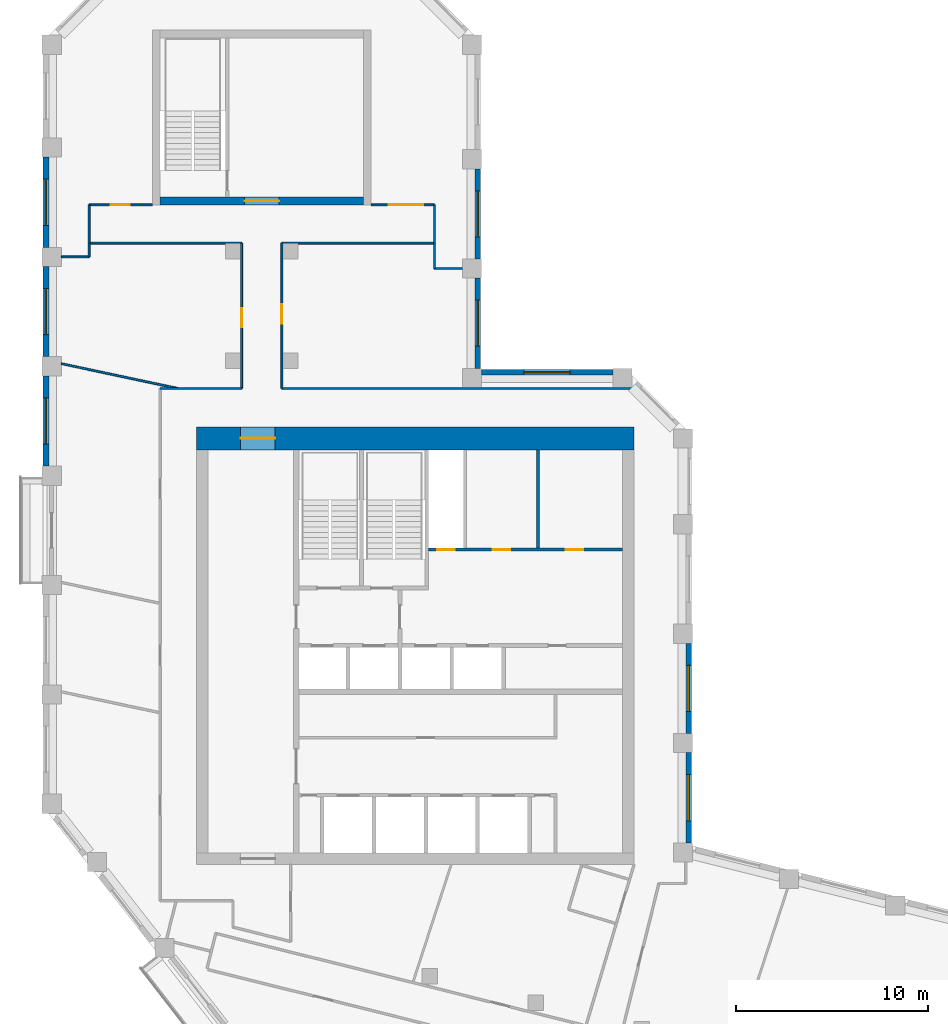
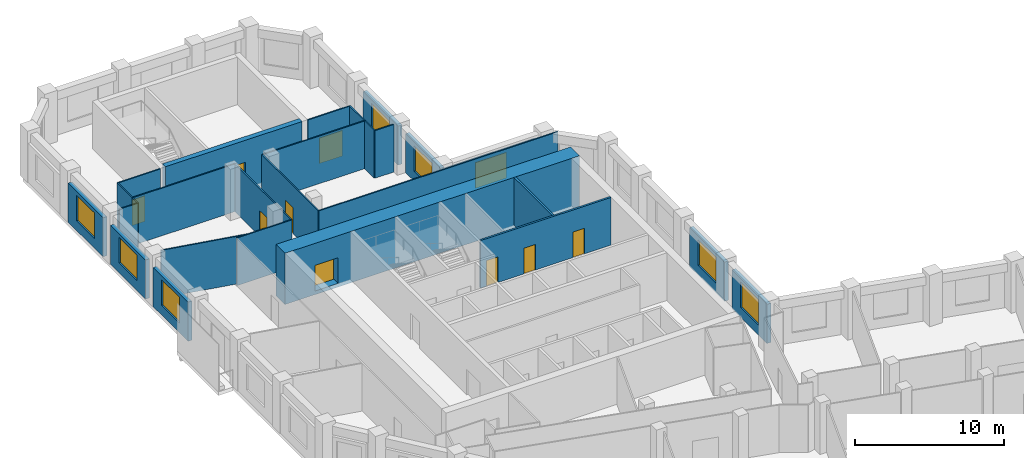
# One storey, part 6 of 9: 27 walls, 9 doors, 8 windows, 17 openings.
"""IFC4 building model written with IfcOpenShell, lengths in metres."""

from ifc_helpers import new_model, si_unit, direction, frame, frame_2d, origin, place, context, subcontext, project, spatial, rectangle, extrude, material, layer, layer_set, type_object, element, fill, save


model = new_model("IFC4")

# Units and contexts
model_context = context("Model", 3, precision=1e-05, world=origin(), true_north=direction((0.0, 1.0)))
body_context = subcontext(model_context, "Body", "Model", "MODEL_VIEW")
ifc_project = project(units=[si_unit("LENGTHUNIT", "METRE"), si_unit("AREAUNIT", "SQUARE_METRE"), si_unit("VOLUMEUNIT", "CUBIC_METRE"), si_unit("PLANEANGLEUNIT", "RADIAN"), si_unit("MASSUNIT", "GRAM", prefix="KILO")], contexts=[model_context])

# Site, building, storey
site_placement = place(None, origin())
site = spatial("IfcSite", under=ifc_project, at=site_placement, CompositionType="ELEMENT")
building_placement = place(site_placement, origin())
building = spatial("IfcBuilding", under=site, at=building_placement, Name="Meshkara Civic Tower", CompositionType="ELEMENT")
storey_placement = place(building_placement, frame((0.0, 0.0, 336.0)))
storey = spatial("IfcBuildingStorey", under=building, at=storey_placement, Name="L77", CompositionType="ELEMENT", Elevation=336.0)

# Wall, openings, doors
ifc_material_1 = material(Name="Blockwork", Category="masonry")
ifc_layer_1 = layer(ifc_material_1, 0.14990234375)
ifc_layer_set_1 = layer_set([ifc_layer_1], Name="Core partition 150")
wall_type_1 = type_object("IfcWallType", Name="Core partition 150", PredefinedType="PARTITIONING", material=ifc_layer_set_1)
wall_1_placement = place(storey_placement, frame((20.10009765625, 30.5, 0.0), z_axis=(0.0, 0.0, 1.0), x_axis=(1.0, 0.0, 0.0)))
wall_1 = element("IfcWall", 1, at=wall_1_placement, inside=storey, type_object=wall_type_1, Name="L77-C010", PredefinedType="PARTITIONING", context=body_context, shape_type="SweptSolid", body=[
    extrude(rectangle(XDim=10.099853515625, YDim=0.14990234375, at=frame_2d((5.0498046875, 0.0))), origin(), (0.0, 0.0, 1.0), 3.89990234375),
])
opening_1_placement = place(wall_1_placement, frame((0.449951171875, 0.0, 0.0)))
opening_1 = element("IfcOpeningElement", 2, at=opening_1_placement, cuts=wall_1, Name="Opening L77-K013", PredefinedType="OPENING", context=body_context, shape_type="SweptSolid", body=[
    extrude(rectangle(XDim=0.89990234375, YDim=2.10009765625, at=frame_2d((0.449951171875, 1.050048828125))), frame((0.0, 0.0849609375, 0.0), z_axis=(0.0, -1.0, 0.0), x_axis=(1.0, 0.0, 0.0)), (0.0, 0.0, 1.0), 0.169921875),
])
opening_2_placement = place(wall_1_placement, frame((3.35009765625, 0.0, 0.0)))
opening_2 = element("IfcOpeningElement", 3, at=opening_2_placement, cuts=wall_1, Name="Opening L77-K014", PredefinedType="OPENING", context=body_context, shape_type="SweptSolid", body=[
    extrude(rectangle(XDim=0.89990234375, YDim=2.10009765625, at=frame_2d((0.449951171875, 1.050048828125))), frame((0.0, 0.0849609375, 0.0), z_axis=(0.0, -1.0, 0.0), x_axis=(1.0, 0.0, 0.0)), (0.0, 0.0, 1.0), 0.169921875),
])
opening_3_placement = place(wall_1_placement, frame((7.14990234375, 0.0, 0.0)))
opening_3 = element("IfcOpeningElement", 4, at=opening_3_placement, cuts=wall_1, Name="Opening L77-K015", PredefinedType="OPENING", context=body_context, shape_type="SweptSolid", body=[
    extrude(rectangle(XDim=0.89990234375, YDim=2.10009765625, at=frame_2d((0.449951171875, 1.050048828125))), frame((0.0, 0.0849609375, 0.0), z_axis=(0.0, -1.0, 0.0), x_axis=(1.0, 0.0, 0.0)), (0.0, 0.0, 1.0), 0.169921875),
])
ifc_material_2 = material(Name="Timber door leaf in steel frame", Category="steel")
door_type_1 = type_object("IfcDoorType", Name="Core room door 900", OperationType="SINGLE_SWING_LEFT", PredefinedType="DOOR", material=ifc_material_2)
door_1_placement = place(opening_2_placement, origin())
door_1 = element("IfcDoor", 5, at=door_1_placement, inside=storey, type_object=door_type_1, Name="L77-K014", OperationType="SINGLE_SWING_RIGHT", OverallHeight=2.10009765625, OverallWidth=0.89990234375, PredefinedType="DOOR", context=body_context, shape_type="SweptSolid", body=[
    extrude(rectangle(XDim=0.89990234375, YDim=2.10009765625, at=frame_2d((0.449951171875, 1.050048828125))), frame((0.0, 0.02490234375, 0.0), z_axis=(0.0, -1.0, 0.0), x_axis=(1.0, 0.0, 0.0)), (0.0, 0.0, 1.0), 0.050048828125),
])
fill(opening_2, door_1)
ifc_material_3 = material(Name="Fire-rated door leaf in steel frame", Category="steel")
door_type_2 = type_object("IfcDoorType", Name="Riser door 900", OperationType="SINGLE_SWING_LEFT", PredefinedType="DOOR", material=ifc_material_3)
door_2_placement = place(opening_1_placement, origin())
door_2 = element("IfcDoor", 6, at=door_2_placement, inside=storey, type_object=door_type_2, Name="L77-K013", OperationType="SINGLE_SWING_RIGHT", OverallHeight=2.10009765625, OverallWidth=0.89990234375, PredefinedType="DOOR", context=body_context, shape_type="SweptSolid", body=[
    extrude(rectangle(XDim=0.89990234375, YDim=2.10009765625, at=frame_2d((0.449951171875, 1.050048828125))), frame((0.0, 0.02490234375, 0.0), z_axis=(0.0, -1.0, 0.0), x_axis=(1.0, 0.0, 0.0)), (0.0, 0.0, 1.0), 0.050048828125),
])
fill(opening_1, door_2)
ifc_material_4 = material(Name="Timber door leaf in steel frame", Category="steel")
door_type_3 = type_object("IfcDoorType", Name="WC door 900", OperationType="SINGLE_SWING_LEFT", PredefinedType="DOOR", material=ifc_material_4)
door_3_placement = place(opening_3_placement, origin())
door_3 = element("IfcDoor", 7, at=door_3_placement, inside=storey, type_object=door_type_3, Name="L77-K015", OperationType="SINGLE_SWING_LEFT", OverallHeight=2.10009765625, OverallWidth=0.89990234375, PredefinedType="DOOR", context=body_context, shape_type="SweptSolid", body=[
    extrude(rectangle(XDim=0.89990234375, YDim=2.10009765625, at=frame_2d((0.449951171875, 1.050048828125))), frame((0.0, 0.02490234375, 0.0), z_axis=(0.0, -1.0, 0.0), x_axis=(1.0, 0.0, 0.0)), (0.0, 0.0, 1.0), 0.050048828125),
])
fill(opening_3, door_3)

# Wall
wall_2_placement = place(storey_placement, frame((25.800048828125, 30.574951171875, 0.0), z_axis=(0.0, 0.0, 1.0), x_axis=(0.0, 1.0, 0.0)))
element("IfcWall", 8, at=wall_2_placement, inside=storey, type_object=wall_type_1, Name="L77-C024", PredefinedType="PARTITIONING", context=body_context, shape_type="SweptSolid", body=[
    extrude(rectangle(XDim=5.125, YDim=0.14990234375, at=frame_2d((2.5625, 0.0))), origin(), (0.0, 0.0, 1.0), 3.89990234375),
])

# Wall, opening, door
ifc_material_5 = material(Name="Concrete C60", Category="concrete")
ifc_layer_2 = layer(ifc_material_5, 1.199951171875)
ifc_layer_set_2 = layer_set([ifc_layer_2], Name="Core ring wall 1200 C60")
wall_type_2 = type_object("IfcWallType", Name="Core ring wall 1200 C60", PredefinedType="SHEAR", material=ifc_layer_set_2)
wall_3_placement = place(storey_placement, frame((8.0, 36.300048828125, -0.300048828125), z_axis=(0.0, 0.0, 1.0), x_axis=(1.0, 0.0, 0.0)))
wall_3 = element("IfcWall", 9, at=wall_3_placement, inside=storey, type_object=wall_type_2, Name="L77-C002", PredefinedType="SHEAR", context=body_context, shape_type="SweptSolid", body=[
    extrude(rectangle(XDim=22.800048828125, YDim=1.199951171875, at=frame_2d((11.39990234375, 0.0))), origin(), (0.0, 0.0, 1.0), 4.199951171875),
])
opening_4_placement = place(wall_3_placement, frame((2.300048828125, 0.0, 0.300048828125)))
opening_4 = element("IfcOpeningElement", 10, at=opening_4_placement, cuts=wall_3, Name="Opening L77-K021", PredefinedType="OPENING", context=body_context, shape_type="SweptSolid", body=[
    extrude(rectangle(XDim=1.800048828125, YDim=2.10009765625, at=frame_2d((0.89990234375, 1.050048828125))), frame((0.0, 0.60986328125, 0.0), z_axis=(0.0, -1.0, 0.0), x_axis=(1.0, 0.0, 0.0)), (0.0, 0.0, 1.0), 1.219970703125),
])
ifc_material_6 = material(Name="Fire-rated door leaf in steel frame", Category="steel")
door_type_4 = type_object("IfcDoorType", Name="Core double door 1800 EI 60", OperationType="DOUBLE_DOOR_SINGLE_SWING", PredefinedType="DOOR", material=ifc_material_6)
door_4_placement = place(opening_4_placement, origin())
door_4 = element("IfcDoor", 11, at=door_4_placement, inside=storey, type_object=door_type_4, Name="L77-K021", OperationType="DOUBLE_DOOR_SINGLE_SWING", OverallHeight=2.10009765625, OverallWidth=1.800048828125, PredefinedType="DOOR", context=body_context, shape_type="SweptSolid", body=[
    extrude(rectangle(XDim=1.800048828125, YDim=2.10009765625, at=frame_2d((0.89990234375, 1.050048828125))), frame((0.0, 0.02490234375, 0.0), z_axis=(0.0, -1.0, 0.0), x_axis=(1.0, 0.0, 0.0)), (0.0, 0.0, 1.0), 0.050048828125),
])
fill(opening_4, door_4)

# Walls
ifc_material_7 = material(Name="Corridor wall 100")
ifc_layer_3 = layer(ifc_material_7, 0.10009765625)
ifc_layer_set_3 = layer_set([ifc_layer_3], Name="Corridor wall 100")
wall_type_3 = type_object("IfcWallType", Name="Corridor wall 100", PredefinedType="PARTITIONING", material=ifc_layer_set_3)
wall_4_placement = place(storey_placement, frame((2.39990234375, 46.469970703125, 0.0), z_axis=(0.0, 0.0, 1.0), x_axis=(1.0, 0.0, 0.0)))
element("IfcWall", 12, at=wall_4_placement, inside=storey, type_object=wall_type_3, Name="L77-W001", PredefinedType="PARTITIONING", context=body_context, shape_type="SweptSolid", body=[
    extrude(rectangle(XDim=7.9501953125, YDim=0.10009765625, at=frame_2d((3.97509765625, 0.0))), origin(), (0.0, 0.0, 1.0), 3.89990234375),
])
wall_5_placement = place(storey_placement, frame((2.39990234375, 48.469970703125, 0.0), z_axis=(0.0, 0.0, 1.0), x_axis=(0.0, -1.0, 0.0)))
element("IfcWall", 13, at=wall_5_placement, inside=storey, type_object=wall_type_3, Name="L77-W002", PredefinedType="PARTITIONING", context=body_context, shape_type="SweptSolid", body=[
    extrude(rectangle(XDim=2.0, YDim=0.10009765625, at=frame_2d((1.0, 0.0))), origin(), (0.0, 0.0, 1.0), 3.89990234375),
])

# Wall, opening, door
wall_6_placement = place(storey_placement, frame((5.699951171875, 48.469970703125, 0.0), z_axis=(0.0, 0.0, 1.0), x_axis=(-1.0, 0.0, 0.0)))
wall_6 = element("IfcWall", 14, at=wall_6_placement, inside=storey, type_object=wall_type_3, Name="L77-W003", PredefinedType="PARTITIONING", context=body_context, shape_type="SweptSolid", body=[
    extrude(rectangle(XDim=3.300048828125, YDim=0.10009765625, at=frame_2d((1.64990234375, 0.0))), origin(), (0.0, 0.0, 1.0), 3.89990234375),
])
opening_5_placement = place(wall_6_placement, frame((1.179931640625, 0.0, 0.0)))
opening_5 = element("IfcOpeningElement", 15, at=opening_5_placement, cuts=wall_6, Name="Opening L77-D019", PredefinedType="OPENING", context=body_context, shape_type="SweptSolid", body=[
    extrude(rectangle(XDim=1.0, YDim=2.10009765625, at=frame_2d((0.5, 1.050048828125))), frame((0.0, 0.06005859375, 0.0), z_axis=(0.0, -1.0, 0.0), x_axis=(1.0, 0.0, 0.0)), (0.0, 0.0, 1.0), 0.1201171875),
])
ifc_material_8 = material(Name="Door 1000 x 2100")
door_type_5 = type_object("IfcDoorType", Name="Door 1000 x 2100", OperationType="SINGLE_SWING_LEFT", PredefinedType="DOOR", material=ifc_material_8)
door_5_placement = place(opening_5_placement, origin())
door_5 = element("IfcDoor", 16, at=door_5_placement, inside=storey, type_object=door_type_5, Name="L77-D019", OperationType="SINGLE_SWING_LEFT", OverallHeight=2.10009765625, OverallWidth=1.0, PredefinedType="DOOR", context=body_context, shape_type="SweptSolid", body=[
    extrude(rectangle(XDim=1.0, YDim=2.10009765625, at=frame_2d((0.5, 1.050048828125))), frame((0.0, 0.02490234375, 0.0), z_axis=(0.0, -1.0, 0.0), x_axis=(1.0, 0.0, 0.0)), (0.0, 0.0, 1.0), 0.050048828125),
])
fill(opening_5, door_5)

# Wall
wall_7_placement = place(storey_placement, frame((10.35009765625, 38.89990234375, 0.0), z_axis=(0.0, 0.0, 1.0), x_axis=(-1.0, 0.0, 0.0)))
element("IfcWall", 17, at=wall_7_placement, inside=storey, type_object=wall_type_3, Name="L77-W011", PredefinedType="PARTITIONING", context=body_context, shape_type="SweptSolid", body=[
    extrude(rectangle(XDim=4.25, YDim=0.10009765625, at=frame_2d((2.125, 0.0))), origin(), (0.0, 0.0, 1.0), 3.89990234375),
])

# Wall, opening, door
wall_8_placement = place(storey_placement, frame((10.35009765625, 46.469970703125, 0.0), z_axis=(0.0, 0.0, 1.0), x_axis=(0.0, -1.0, 0.0)))
wall_8 = element("IfcWall", 18, at=wall_8_placement, inside=storey, type_object=wall_type_3, Name="L77-W012", PredefinedType="PARTITIONING", context=body_context, shape_type="SweptSolid", body=[
    extrude(rectangle(XDim=7.570068359375, YDim=0.10009765625, at=frame_2d((3.78515625, 0.0))), origin(), (0.0, 0.0, 1.0), 3.89990234375),
])
opening_6_placement = place(wall_8_placement, frame((3.3798828125, 0.0, 0.0)))
opening_6 = element("IfcOpeningElement", 19, at=opening_6_placement, cuts=wall_8, Name="Opening L77-D017", PredefinedType="OPENING", context=body_context, shape_type="SweptSolid", body=[
    extrude(rectangle(XDim=1.0, YDim=2.10009765625, at=frame_2d((0.5, 1.050048828125))), frame((0.0, 0.06005859375, 0.0), z_axis=(0.0, -1.0, 0.0), x_axis=(1.0, 0.0, 0.0)), (0.0, 0.0, 1.0), 0.1201171875),
])
door_6_placement = place(opening_6_placement, origin())
door_6 = element("IfcDoor", 20, at=door_6_placement, inside=storey, type_object=door_type_5, Name="L77-D017", OperationType="SINGLE_SWING_LEFT", OverallHeight=2.10009765625, OverallWidth=1.0, PredefinedType="DOOR", context=body_context, shape_type="SweptSolid", body=[
    extrude(rectangle(XDim=1.0, YDim=2.10009765625, at=frame_2d((0.5, 1.050048828125))), frame((0.0, 0.02490234375, 0.0), z_axis=(0.0, -1.0, 0.0), x_axis=(1.0, 0.0, 0.0)), (0.0, 0.0, 1.0), 0.050048828125),
])
fill(opening_6, door_6)

wall_9_placement = place(storey_placement, frame((12.449951171875, 38.89990234375, 0.0), z_axis=(0.0, 0.0, 1.0), x_axis=(0.0, 1.0, 0.0)))
wall_9 = element("IfcWall", 21, at=wall_9_placement, inside=storey, type_object=wall_type_3, Name="L77-W013", PredefinedType="PARTITIONING", context=body_context, shape_type="SweptSolid", body=[
    extrude(rectangle(XDim=7.570068359375, YDim=0.10009765625, at=frame_2d((3.78515625, 0.0))), origin(), (0.0, 0.0, 1.0), 3.89990234375),
])
opening_7_placement = place(wall_9_placement, frame((3.3798828125, 0.0, 0.0)))
opening_7 = element("IfcOpeningElement", 22, at=opening_7_placement, cuts=wall_9, Name="Opening L77-D018", PredefinedType="OPENING", context=body_context, shape_type="SweptSolid", body=[
    extrude(rectangle(XDim=1.0, YDim=2.10009765625, at=frame_2d((0.5, 1.050048828125))), frame((0.0, 0.06005859375, 0.0), z_axis=(0.0, -1.0, 0.0), x_axis=(1.0, 0.0, 0.0)), (0.0, 0.0, 1.0), 0.1201171875),
])
door_7_placement = place(opening_7_placement, origin())
door_7 = element("IfcDoor", 23, at=door_7_placement, inside=storey, type_object=door_type_5, Name="L77-D018", OperationType="SINGLE_SWING_LEFT", OverallHeight=2.10009765625, OverallWidth=1.0, PredefinedType="DOOR", context=body_context, shape_type="SweptSolid", body=[
    extrude(rectangle(XDim=1.0, YDim=2.10009765625, at=frame_2d((0.5, 1.050048828125))), frame((0.0, 0.02490234375, 0.0), z_axis=(0.0, -1.0, 0.0), x_axis=(1.0, 0.0, 0.0)), (0.0, 0.0, 1.0), 0.050048828125),
])
fill(opening_7, door_7)

# Walls
wall_10_placement = place(storey_placement, frame((12.449951171875, 46.469970703125, 0.0), z_axis=(0.0, 0.0, 1.0), x_axis=(1.0, 0.0, 0.0)))
element("IfcWall", 24, at=wall_10_placement, inside=storey, type_object=wall_type_3, Name="L77-W014", PredefinedType="PARTITIONING", context=body_context, shape_type="SweptSolid", body=[
    extrude(rectangle(XDim=7.949951171875, YDim=0.10009765625, at=frame_2d((3.97509765625, 0.0))), origin(), (0.0, 0.0, 1.0), 3.89990234375),
])
wall_11_placement = place(storey_placement, frame((20.39990234375, 46.469970703125, 0.0), z_axis=(0.0, 0.0, 1.0), x_axis=(0.0, 1.0, 0.0)))
element("IfcWall", 25, at=wall_11_placement, inside=storey, type_object=wall_type_3, Name="L77-W016", PredefinedType="PARTITIONING", context=body_context, shape_type="SweptSolid", body=[
    extrude(rectangle(XDim=2.0, YDim=0.10009765625, at=frame_2d((1.0, 0.0))), origin(), (0.0, 0.0, 1.0), 3.89990234375),
])

# Wall, opening, door
wall_12_placement = place(storey_placement, frame((20.39990234375, 48.469970703125, 0.0), z_axis=(0.0, 0.0, 1.0), x_axis=(-1.0, 0.0, 0.0)))
wall_12 = element("IfcWall", 26, at=wall_12_placement, inside=storey, type_object=wall_type_3, Name="L77-W017", PredefinedType="PARTITIONING", context=body_context, shape_type="SweptSolid", body=[
    extrude(rectangle(XDim=3.2998046875, YDim=0.10009765625, at=frame_2d((1.64990234375, 0.0))), origin(), (0.0, 0.0, 1.0), 3.89990234375),
])
opening_8_placement = place(wall_12_placement, frame((0.580078125, 0.0, 0.0)))
opening_8 = element("IfcOpeningElement", 27, at=opening_8_placement, cuts=wall_12, Name="Opening L77-D020", PredefinedType="OPENING", context=body_context, shape_type="SweptSolid", body=[
    extrude(rectangle(XDim=1.800048828125, YDim=2.10009765625, at=frame_2d((0.89990234375, 1.050048828125))), frame((0.0, 0.06005859375, 0.0), z_axis=(0.0, -1.0, 0.0), x_axis=(1.0, 0.0, 0.0)), (0.0, 0.0, 1.0), 0.1201171875),
])
ifc_material_9 = material(Name="Door pair 1800 x 2100")
door_type_6 = type_object("IfcDoorType", Name="Door pair 1800 x 2100", OperationType="SINGLE_SWING_LEFT", PredefinedType="DOOR", material=ifc_material_9)
door_8_placement = place(opening_8_placement, origin())
door_8 = element("IfcDoor", 28, at=door_8_placement, inside=storey, type_object=door_type_6, Name="L77-D020", OperationType="DOUBLE_DOOR_SINGLE_SWING", OverallHeight=2.10009765625, OverallWidth=1.800048828125, PredefinedType="DOOR", context=body_context, shape_type="SweptSolid", body=[
    extrude(rectangle(XDim=1.800048828125, YDim=2.10009765625, at=frame_2d((0.89990234375, 1.050048828125))), frame((0.0, 0.02490234375, 0.0), z_axis=(0.0, -1.0, 0.0), x_axis=(1.0, 0.0, 0.0)), (0.0, 0.0, 1.0), 0.050048828125),
])
fill(opening_8, door_8)

# Wall
wall_13_placement = place(storey_placement, frame((30.9560546875, 38.89990234375, 0.0), z_axis=(0.0, 0.0, 1.0), x_axis=(-1.0, 0.0, 0.0)))
element("IfcWall", 29, at=wall_13_placement, inside=storey, type_object=wall_type_3, Name="L77-W024", PredefinedType="PARTITIONING", context=body_context, shape_type="SweptSolid", body=[
    extrude(rectangle(XDim=18.506103515625, YDim=0.10009765625, at=frame_2d((9.2529296875, 0.0))), origin(), (0.0, 0.0, 1.0), 3.89990234375),
])

# Wall, opening, window
ifc_material_10 = material(Name="Insulated infill panel with bronze anodised aluminium cladding", Category="aluminium")
ifc_layer_4 = layer(ifc_material_10, 0.300048828125)
ifc_layer_set_4 = layer_set([ifc_layer_4], Name="EXTERNAL INFILL WALL 300")
wall_type_4 = type_object("IfcWallType", Name="EXTERNAL INFILL WALL 300", PredefinedType="SOLIDWALL", material=ifc_layer_set_4)
wall_14_placement = place(storey_placement, frame((33.64990234375, 15.218994140625, 0.0), z_axis=(0.0, 0.0, 1.0), x_axis=(0.0, 1.0, 0.0)))
wall_14 = element("IfcWall", 30, at=wall_14_placement, inside=storey, type_object=wall_type_4, Name="External wall", PredefinedType="SOLIDWALL", context=body_context, shape_type="SweptSolid", body=[
    extrude(rectangle(XDim=4.699951171875, YDim=0.300048828125, at=frame_2d((2.35009765625, 0.0))), origin(), (0.0, 0.0, 1.0), 3.199951171875),
])
opening_9_placement = place(wall_14_placement, frame((1.14990234375, 0.0, 0.800048828125)))
opening_9 = element("IfcOpeningElement", 31, at=opening_9_placement, cuts=wall_14, Name="Opening W7", PredefinedType="OPENING", context=body_context, shape_type="SweptSolid", body=[
    extrude(rectangle(XDim=2.39990234375, YDim=2.10009765625, at=frame_2d((1.199951171875, 1.050048828125))), frame((0.0, 0.159912109375, 0.0), z_axis=(0.0, -1.0, 0.0), x_axis=(1.0, 0.0, 0.0)), (0.0, 0.0, 1.0), 0.320068359375),
])
ifc_material_11 = material(Name="Tinted double glazing", Category="glass")
window_type = type_object("IfcWindowType", Name="WINDOW 2400x2100", PartitioningType="DOUBLE_PANEL_VERTICAL", PredefinedType="WINDOW", material=ifc_material_11)
window_1_placement = place(opening_9_placement, origin())
window_1 = element("IfcWindow", 32, at=window_1_placement, inside=storey, type_object=window_type, Name="Window", OverallHeight=2.10009765625, OverallWidth=2.39990234375, PartitioningType="DOUBLE_PANEL_VERTICAL", PredefinedType="WINDOW", context=body_context, shape_type="SweptSolid", body=[
    extrude(rectangle(XDim=2.39990234375, YDim=2.10009765625, at=frame_2d((1.199951171875, 1.050048828125))), frame((0.0, 0.030029296875, 0.0), z_axis=(0.0, -1.0, 0.0), x_axis=(1.0, 0.0, 0.0)), (0.0, 0.0, 1.0), 0.06005859375),
])
fill(opening_9, window_1)

wall_15_placement = place(storey_placement, frame((33.64990234375, 20.9189453125, 0.0), z_axis=(0.0, 0.0, 1.0), x_axis=(0.0, 1.0, 0.0)))
wall_15 = element("IfcWall", 33, at=wall_15_placement, inside=storey, type_object=wall_type_4, Name="External wall", PredefinedType="SOLIDWALL", context=body_context, shape_type="SweptSolid", body=[
    extrude(rectangle(XDim=4.699951171875, YDim=0.300048828125, at=frame_2d((2.35009765625, 0.0))), origin(), (0.0, 0.0, 1.0), 3.199951171875),
])
opening_10_placement = place(wall_15_placement, frame((1.14990234375, 0.0, 0.800048828125)))
opening_10 = element("IfcOpeningElement", 34, at=opening_10_placement, cuts=wall_15, Name="Opening W7", PredefinedType="OPENING", context=body_context, shape_type="SweptSolid", body=[
    extrude(rectangle(XDim=2.39990234375, YDim=2.10009765625, at=frame_2d((1.199951171875, 1.050048828125))), frame((0.0, 0.159912109375, 0.0), z_axis=(0.0, -1.0, 0.0), x_axis=(1.0, 0.0, 0.0)), (0.0, 0.0, 1.0), 0.320068359375),
])
window_2_placement = place(opening_10_placement, origin())
window_2 = element("IfcWindow", 35, at=window_2_placement, inside=storey, type_object=window_type, Name="Window", OverallHeight=2.10009765625, OverallWidth=2.39990234375, PartitioningType="DOUBLE_PANEL_VERTICAL", PredefinedType="WINDOW", context=body_context, shape_type="SweptSolid", body=[
    extrude(rectangle(XDim=2.39990234375, YDim=2.10009765625, at=frame_2d((1.199951171875, 1.050048828125))), frame((0.0, 0.030029296875, 0.0), z_axis=(0.0, -1.0, 0.0), x_axis=(1.0, 0.0, 0.0)), (0.0, 0.0, 1.0), 0.06005859375),
])
fill(opening_10, window_2)

wall_16_placement = place(storey_placement, frame((29.694091796875, 39.75, 0.0), z_axis=(0.0, 0.0, 1.0), x_axis=(-1.0, 0.0, 0.0)))
wall_16 = element("IfcWall", 36, at=wall_16_placement, inside=storey, type_object=wall_type_4, Name="External wall", PredefinedType="SOLIDWALL", context=body_context, shape_type="SweptSolid", body=[
    extrude(rectangle(XDim=6.843994140625, YDim=0.300048828125, at=frame_2d((3.421875, 0.0))), origin(), (0.0, 0.0, 1.0), 3.199951171875),
])
opening_11_placement = place(wall_16_placement, frame((2.221923828125, 0.0, 0.800048828125)))
opening_11 = element("IfcOpeningElement", 37, at=opening_11_placement, cuts=wall_16, Name="Opening W7", PredefinedType="OPENING", context=body_context, shape_type="SweptSolid", body=[
    extrude(rectangle(XDim=2.39990234375, YDim=2.10009765625, at=frame_2d((1.199951171875, 1.050048828125))), frame((0.0, 0.159912109375, 0.0), z_axis=(0.0, -1.0, 0.0), x_axis=(1.0, 0.0, 0.0)), (0.0, 0.0, 1.0), 0.320068359375),
])
window_3_placement = place(opening_11_placement, origin())
window_3 = element("IfcWindow", 38, at=window_3_placement, inside=storey, type_object=window_type, Name="Window", OverallHeight=2.10009765625, OverallWidth=2.39990234375, PartitioningType="DOUBLE_PANEL_VERTICAL", PredefinedType="WINDOW", context=body_context, shape_type="SweptSolid", body=[
    extrude(rectangle(XDim=2.39990234375, YDim=2.10009765625, at=frame_2d((1.199951171875, 1.050048828125))), frame((0.0, 0.030029296875, 0.0), z_axis=(0.0, -1.0, 0.0), x_axis=(1.0, 0.0, 0.0)), (0.0, 0.0, 1.0), 0.06005859375),
])
fill(opening_11, window_3)

wall_17_placement = place(storey_placement, frame((22.64990234375, 39.949951171875, 0.0), z_axis=(0.0, 0.0, 1.0), x_axis=(0.0, 1.0, 0.0)))
wall_17 = element("IfcWall", 39, at=wall_17_placement, inside=storey, type_object=wall_type_4, Name="External wall", PredefinedType="SOLIDWALL", context=body_context, shape_type="SweptSolid", body=[
    extrude(rectangle(XDim=4.699951171875, YDim=0.300048828125, at=frame_2d((2.35009765625, 0.0))), origin(), (0.0, 0.0, 1.0), 3.199951171875),
])
opening_12_placement = place(wall_17_placement, frame((1.14990234375, 0.0, 0.800048828125)))
opening_12 = element("IfcOpeningElement", 40, at=opening_12_placement, cuts=wall_17, Name="Opening W7", PredefinedType="OPENING", context=body_context, shape_type="SweptSolid", body=[
    extrude(rectangle(XDim=2.39990234375, YDim=2.10009765625, at=frame_2d((1.199951171875, 1.050048828125))), frame((0.0, 0.159912109375, 0.0), z_axis=(0.0, -1.0, 0.0), x_axis=(1.0, 0.0, 0.0)), (0.0, 0.0, 1.0), 0.320068359375),
])
window_4_placement = place(opening_12_placement, origin())
window_4 = element("IfcWindow", 41, at=window_4_placement, inside=storey, type_object=window_type, Name="Window", OverallHeight=2.10009765625, OverallWidth=2.39990234375, PartitioningType="DOUBLE_PANEL_VERTICAL", PredefinedType="WINDOW", context=body_context, shape_type="SweptSolid", body=[
    extrude(rectangle(XDim=2.39990234375, YDim=2.10009765625, at=frame_2d((1.199951171875, 1.050048828125))), frame((0.0, 0.030029296875, 0.0), z_axis=(0.0, -1.0, 0.0), x_axis=(1.0, 0.0, 0.0)), (0.0, 0.0, 1.0), 0.06005859375),
])
fill(opening_12, window_4)

wall_18_placement = place(storey_placement, frame((22.64990234375, 45.64990234375, 0.0), z_axis=(0.0, 0.0, 1.0), x_axis=(0.0, 1.0, 0.0)))
wall_18 = element("IfcWall", 42, at=wall_18_placement, inside=storey, type_object=wall_type_4, Name="External wall", PredefinedType="SOLIDWALL", context=body_context, shape_type="SweptSolid", body=[
    extrude(rectangle(XDim=4.7001953125, YDim=0.300048828125, at=frame_2d((2.35009765625, 0.0))), origin(), (0.0, 0.0, 1.0), 3.199951171875),
])
opening_13_placement = place(wall_18_placement, frame((1.14990234375, 0.0, 0.800048828125)))
opening_13 = element("IfcOpeningElement", 43, at=opening_13_placement, cuts=wall_18, Name="Opening W7", PredefinedType="OPENING", context=body_context, shape_type="SweptSolid", body=[
    extrude(rectangle(XDim=2.39990234375, YDim=2.10009765625, at=frame_2d((1.199951171875, 1.050048828125))), frame((0.0, 0.159912109375, 0.0), z_axis=(0.0, -1.0, 0.0), x_axis=(1.0, 0.0, 0.0)), (0.0, 0.0, 1.0), 0.320068359375),
])
window_5_placement = place(opening_13_placement, origin())
window_5 = element("IfcWindow", 44, at=window_5_placement, inside=storey, type_object=window_type, Name="Window", OverallHeight=2.10009765625, OverallWidth=2.39990234375, PartitioningType="DOUBLE_PANEL_VERTICAL", PredefinedType="WINDOW", context=body_context, shape_type="SweptSolid", body=[
    extrude(rectangle(XDim=2.39990234375, YDim=2.10009765625, at=frame_2d((1.199951171875, 1.050048828125))), frame((0.0, 0.030029296875, 0.0), z_axis=(0.0, -1.0, 0.0), x_axis=(1.0, 0.0, 0.0)), (0.0, 0.0, 1.0), 0.06005859375),
])
fill(opening_13, window_5)

wall_19_placement = place(storey_placement, frame((0.14990234375, 50.955078125, 0.0), z_axis=(0.0, 0.0, 1.0), x_axis=(0.0, -1.0, 0.0)))
wall_19 = element("IfcWall", 45, at=wall_19_placement, inside=storey, type_object=wall_type_4, Name="External wall", PredefinedType="SOLIDWALL", context=body_context, shape_type="SweptSolid", body=[
    extrude(rectangle(XDim=4.7001953125, YDim=0.300048828125, at=frame_2d((2.35009765625, 0.0))), origin(), (0.0, 0.0, 1.0), 3.199951171875),
])
opening_14_placement = place(wall_19_placement, frame((1.14990234375, 0.0, 0.800048828125)))
opening_14 = element("IfcOpeningElement", 46, at=opening_14_placement, cuts=wall_19, Name="Opening W7", PredefinedType="OPENING", context=body_context, shape_type="SweptSolid", body=[
    extrude(rectangle(XDim=2.39990234375, YDim=2.10009765625, at=frame_2d((1.199951171875, 1.050048828125))), frame((0.0, 0.159912109375, 0.0), z_axis=(0.0, -1.0, 0.0), x_axis=(1.0, 0.0, 0.0)), (0.0, 0.0, 1.0), 0.320068359375),
])
window_6_placement = place(opening_14_placement, origin())
window_6 = element("IfcWindow", 47, at=window_6_placement, inside=storey, type_object=window_type, Name="Window", OverallHeight=2.10009765625, OverallWidth=2.39990234375, PartitioningType="DOUBLE_PANEL_VERTICAL", PredefinedType="WINDOW", context=body_context, shape_type="SweptSolid", body=[
    extrude(rectangle(XDim=2.39990234375, YDim=2.10009765625, at=frame_2d((1.199951171875, 1.050048828125))), frame((0.0, 0.030029296875, 0.0), z_axis=(0.0, -1.0, 0.0), x_axis=(1.0, 0.0, 0.0)), (0.0, 0.0, 1.0), 0.06005859375),
])
fill(opening_14, window_6)

wall_20_placement = place(storey_placement, frame((0.14990234375, 45.2548828125, 0.0), z_axis=(0.0, 0.0, 1.0), x_axis=(0.0, -1.0, 0.0)))
wall_20 = element("IfcWall", 48, at=wall_20_placement, inside=storey, type_object=wall_type_4, Name="External wall", PredefinedType="SOLIDWALL", context=body_context, shape_type="SweptSolid", body=[
    extrude(rectangle(XDim=4.699951171875, YDim=0.300048828125, at=frame_2d((2.35009765625, 0.0))), origin(), (0.0, 0.0, 1.0), 3.199951171875),
])
opening_15_placement = place(wall_20_placement, frame((1.14990234375, 0.0, 0.800048828125)))
opening_15 = element("IfcOpeningElement", 49, at=opening_15_placement, cuts=wall_20, Name="Opening W7", PredefinedType="OPENING", context=body_context, shape_type="SweptSolid", body=[
    extrude(rectangle(XDim=2.39990234375, YDim=2.10009765625, at=frame_2d((1.199951171875, 1.050048828125))), frame((0.0, 0.159912109375, 0.0), z_axis=(0.0, -1.0, 0.0), x_axis=(1.0, 0.0, 0.0)), (0.0, 0.0, 1.0), 0.320068359375),
])
window_7_placement = place(opening_15_placement, origin())
window_7 = element("IfcWindow", 50, at=window_7_placement, inside=storey, type_object=window_type, Name="Window", OverallHeight=2.10009765625, OverallWidth=2.39990234375, PartitioningType="DOUBLE_PANEL_VERTICAL", PredefinedType="WINDOW", context=body_context, shape_type="SweptSolid", body=[
    extrude(rectangle(XDim=2.39990234375, YDim=2.10009765625, at=frame_2d((1.199951171875, 1.050048828125))), frame((0.0, 0.030029296875, 0.0), z_axis=(0.0, -1.0, 0.0), x_axis=(1.0, 0.0, 0.0)), (0.0, 0.0, 1.0), 0.06005859375),
])
fill(opening_15, window_7)

wall_21_placement = place(storey_placement, frame((0.14990234375, 39.554931640625, 0.0), z_axis=(0.0, 0.0, 1.0), x_axis=(0.0, -1.0, 0.0)))
wall_21 = element("IfcWall", 51, at=wall_21_placement, inside=storey, type_object=wall_type_4, Name="External wall", PredefinedType="SOLIDWALL", context=body_context, shape_type="SweptSolid", body=[
    extrude(rectangle(XDim=4.699951171875, YDim=0.300048828125, at=frame_2d((2.35009765625, 0.0))), origin(), (0.0, 0.0, 1.0), 3.199951171875),
])
opening_16_placement = place(wall_21_placement, frame((1.14990234375, 0.0, 0.800048828125)))
opening_16 = element("IfcOpeningElement", 52, at=opening_16_placement, cuts=wall_21, Name="Opening W7", PredefinedType="OPENING", context=body_context, shape_type="SweptSolid", body=[
    extrude(rectangle(XDim=2.39990234375, YDim=2.10009765625, at=frame_2d((1.199951171875, 1.050048828125))), frame((0.0, 0.159912109375, 0.0), z_axis=(0.0, -1.0, 0.0), x_axis=(1.0, 0.0, 0.0)), (0.0, 0.0, 1.0), 0.320068359375),
])
window_8_placement = place(opening_16_placement, origin())
window_8 = element("IfcWindow", 53, at=window_8_placement, inside=storey, type_object=window_type, Name="Window", OverallHeight=2.10009765625, OverallWidth=2.39990234375, PartitioningType="DOUBLE_PANEL_VERTICAL", PredefinedType="WINDOW", context=body_context, shape_type="SweptSolid", body=[
    extrude(rectangle(XDim=2.39990234375, YDim=2.10009765625, at=frame_2d((1.199951171875, 1.050048828125))), frame((0.0, 0.030029296875, 0.0), z_axis=(0.0, -1.0, 0.0), x_axis=(1.0, 0.0, 0.0)), (0.0, 0.0, 1.0), 0.06005859375),
])
fill(opening_16, window_8)

# Wall, opening, door
ifc_material_12 = material(Name="Concrete C60", Category="concrete")
ifc_layer_5 = layer(ifc_material_12, 0.39990234375)
ifc_layer_set_5 = layer_set([ifc_layer_5], Name="End core ring wall 400 C60")
wall_type_5 = type_object("IfcWallType", Name="End core ring wall 400 C60", PredefinedType="SHEAR", material=ifc_layer_set_5)
wall_22_placement = place(storey_placement, frame((6.10009765625, 48.669921875, -0.300048828125), z_axis=(0.0, 0.0, 1.0), x_axis=(1.0, 0.0, 0.0)))
wall_22 = element("IfcWall", 54, at=wall_22_placement, inside=storey, type_object=wall_type_5, Name="L77-C029", PredefinedType="SHEAR", context=body_context, shape_type="SweptSolid", body=[
    extrude(rectangle(XDim=10.599853515625, YDim=0.39990234375, at=frame_2d((5.2998046875, 0.0))), origin(), (0.0, 0.0, 1.0), 4.199951171875),
])
opening_17_placement = place(wall_22_placement, frame((4.39990234375, 0.0, 0.300048828125)))
opening_17 = element("IfcOpeningElement", 55, at=opening_17_placement, cuts=wall_22, Name="Opening L77-K102", PredefinedType="OPENING", context=body_context, shape_type="SweptSolid", body=[
    extrude(rectangle(XDim=1.800048828125, YDim=2.10009765625, at=frame_2d((0.89990234375, 1.050048828125))), frame((0.0, 0.2099609375, 0.0), z_axis=(0.0, -1.0, 0.0), x_axis=(1.0, 0.0, 0.0)), (0.0, 0.0, 1.0), 0.419921875),
])
door_9_placement = place(opening_17_placement, origin())
door_9 = element("IfcDoor", 56, at=door_9_placement, inside=storey, type_object=door_type_4, Name="L77-K102", OperationType="DOUBLE_DOOR_SINGLE_SWING", OverallHeight=2.10009765625, OverallWidth=1.800048828125, PredefinedType="DOOR", context=body_context, shape_type="SweptSolid", body=[
    extrude(rectangle(XDim=1.800048828125, YDim=2.10009765625, at=frame_2d((0.89990234375, 1.050048828125))), frame((0.0, 0.02490234375, 0.0), z_axis=(0.0, -1.0, 0.0), x_axis=(1.0, 0.0, 0.0)), (0.0, 0.0, 1.0), 0.050048828125),
])
fill(opening_17, door_9)

# Walls
ifc_material_13 = material(Name="Partition 100")
ifc_layer_6 = layer(ifc_material_13, 0.10009765625)
ifc_layer_set_6 = layer_set([ifc_layer_6], Name="Partition 100")
wall_type_6 = type_object("IfcWallType", Name="Partition 100", PredefinedType="PARTITIONING", material=ifc_layer_set_6)
wall_23_placement = place(storey_placement, frame((2.39990234375, 45.7548828125, 0.0), z_axis=(0.0, 0.0, 1.0), x_axis=(-1.0, 0.0, 0.0)))
element("IfcWall", 57, at=wall_23_placement, inside=storey, type_object=wall_type_6, Name="L77-W041", PredefinedType="PARTITIONING", context=body_context, shape_type="SweptSolid", body=[
    extrude(rectangle(XDim=1.449951171875, YDim=0.10009765625, at=frame_2d((0.72509765625, 0.0))), origin(), (0.0, 0.0, 1.0), 3.89990234375),
])
wall_24_placement = place(storey_placement, frame((2.39990234375, 46.47412109375, 0.0), z_axis=(0.0, 0.0, 1.0), x_axis=(0.0, -1.0, 0.0)))
element("IfcWall", 58, at=wall_24_placement, inside=storey, type_object=wall_type_6, Name="L77-W042", PredefinedType="PARTITIONING", context=body_context, shape_type="SweptSolid", body=[
    extrude(rectangle(XDim=0.71923828125, YDim=0.10009765625, at=frame_2d((0.359619140625, 0.0))), origin(), (0.0, 0.0, 1.0), 3.89990234375),
])
wall_25_placement = place(storey_placement, frame((7.034912109375, 38.89990234375, 0.0), z_axis=(0.0, 0.0, 1.0), x_axis=(-0.978121732608, 0.208033353577, 0.0)))
element("IfcWall", 59, at=wall_25_placement, inside=storey, type_object=wall_type_6, Name="L77-W046", PredefinedType="PARTITIONING", context=body_context, shape_type="SweptSolid", body=[
    extrude(rectangle(XDim=6.220947265625, YDim=0.10009765625, at=frame_2d((3.1103515625, 0.0))), origin(), (0.0, 0.0, 1.0), 3.89990234375),
])
wall_26_placement = place(storey_placement, frame((20.39990234375, 45.14990234375, 0.0), z_axis=(0.0, 0.0, 1.0), x_axis=(0.0, 1.0, 0.0)))
element("IfcWall", 60, at=wall_26_placement, inside=storey, type_object=wall_type_6, Name="L77-W050", PredefinedType="PARTITIONING", context=body_context, shape_type="SweptSolid", body=[
    extrude(rectangle(XDim=1.32421875, YDim=0.10009765625, at=frame_2d((0.662109375, 0.0))), origin(), (0.0, 0.0, 1.0), 3.89990234375),
])
wall_27_placement = place(storey_placement, frame((21.85009765625, 45.14990234375, 0.0), z_axis=(0.0, 0.0, 1.0), x_axis=(-1.0, 0.0, 0.0)))
element("IfcWall", 61, at=wall_27_placement, inside=storey, type_object=wall_type_6, Name="L77-W051", PredefinedType="PARTITIONING", context=body_context, shape_type="SweptSolid", body=[
    extrude(rectangle(XDim=1.4501953125, YDim=0.10009765625, at=frame_2d((0.72509765625, 0.0))), origin(), (0.0, 0.0, 1.0), 3.89990234375),
])

save(model, "model.ifc")
